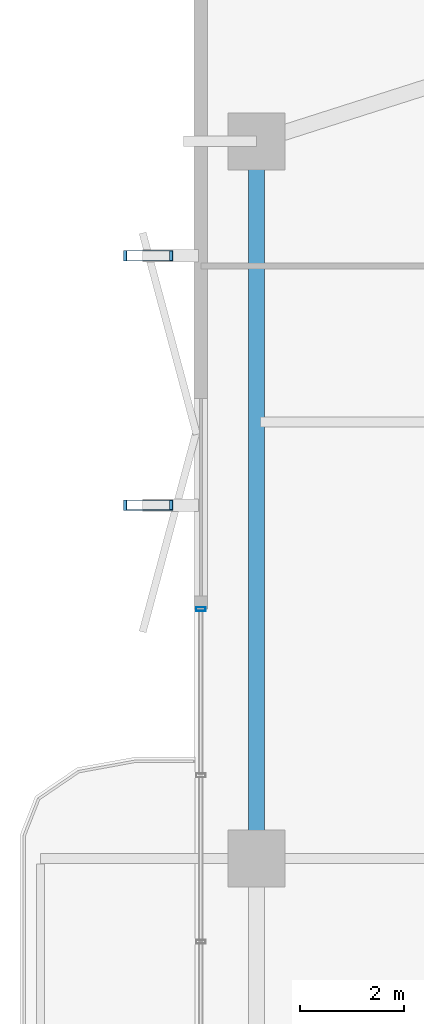
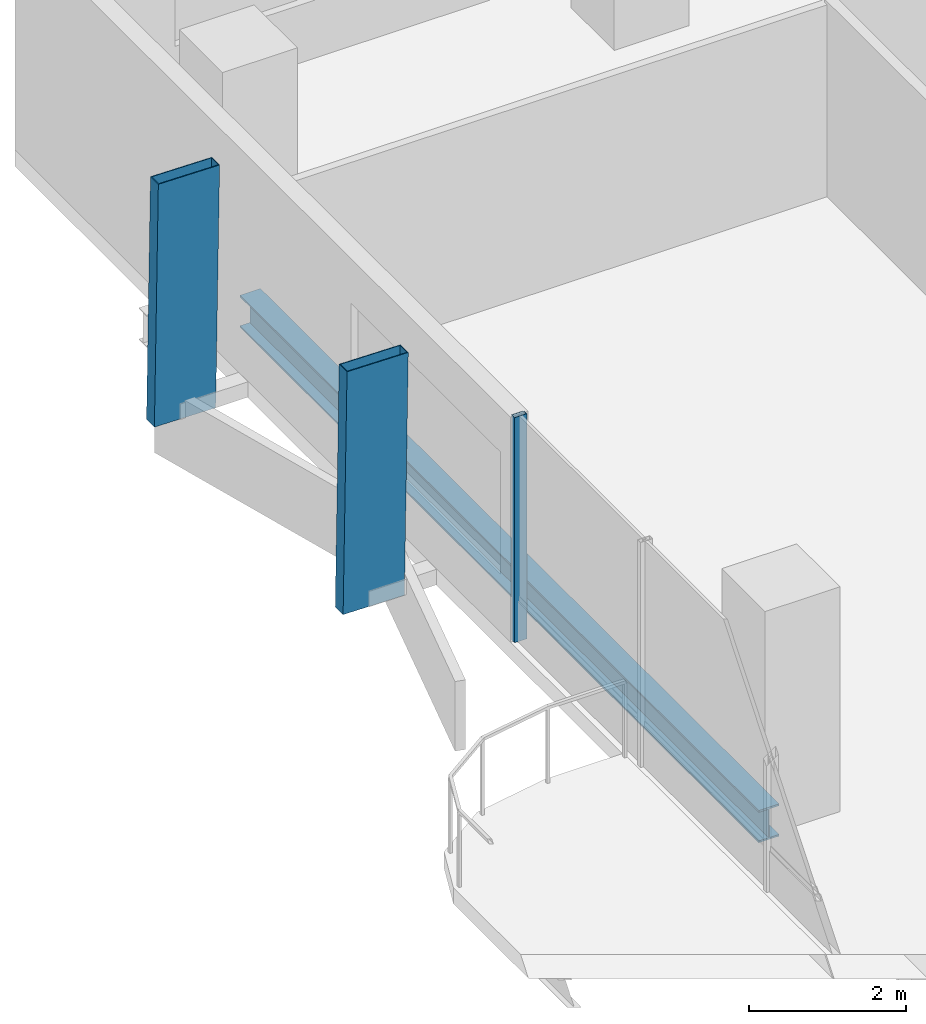
# One storey, part 11 of 25: 3 members, 1 beam, 1 element without a shape of its own.
"""IFC4 building model written with IfcOpenShell, lengths in metres."""

from ifc_helpers import new_model, si_unit, direction, frame, origin, origin_2d, place, context, subcontext, project, spatial, hollow_rectangle, i_section, extrude, material, layer, layer_set, material_profile, profile_set, type_object, element, aggregate, save


model = new_model("IFC4")

# Units and contexts
model_context = context("Model", 3, precision=1e-05, world=origin(), true_north=direction((0.0, 1.0)))
body_context = subcontext(model_context, "Body", "Model", "MODEL_VIEW")
ifc_project = project(units=[si_unit("LENGTHUNIT", "METRE"), si_unit("AREAUNIT", "SQUARE_METRE"), si_unit("VOLUMEUNIT", "CUBIC_METRE"), si_unit("PLANEANGLEUNIT", "RADIAN"), si_unit("MASSUNIT", "GRAM", prefix="KILO")], contexts=[model_context])

# Site, building, storey
site_placement = place(None, origin())
site = spatial("IfcSite", under=ifc_project, at=site_placement, CompositionType="ELEMENT")
building_placement = place(site_placement, origin())
building = spatial("IfcBuilding", under=site, at=building_placement, Name="Belovzor Exchange Tower", CompositionType="ELEMENT")
storey_placement = place(building_placement, frame((0.0, 0.0, 175.800048828125)))
storey = spatial("IfcBuildingStorey", under=building, at=storey_placement, Name="L43", CompositionType="ELEMENT", Elevation=175.800048828125)

# Members
ifc_material_1 = material(Name="Extruded Architectural Terracotta on Steel S355 Carrier", Category="masonry")
ifc_material_profile_1 = material_profile(ifc_material_1, hollow_rectangle(XDim=0.199951171875, YDim=0.89990234375, WallThickness=0.011962890625, at=origin_2d()))
ifc_profile_set_1 = profile_set([ifc_material_profile_1], Name="Extruded Architectural Terracotta on Steel S355 Carrier")
member_type_1 = type_object("IfcMemberType", Name="Sweeping Terracotta Baguette Fin Assembly 1250", PredefinedType="USERDEFINED", material=ifc_profile_set_1)
for number, where, z_axis, x_axis, name in (
    (1, (3.589111328125, 35.60009765625, -0.255126953125), (0.015427851114, 0.0, 0.999880983623), (0.0, 1.0, 0.0), "FIN-TC125 Terracotta Facade Fin L43 W3"),
    (2, (3.589111328125, 40.39990234375, -0.255126953125), (0.015427851114, 0.0, 0.999880983623), (0.0, 1.0, 0.0), "FIN-TC125 Terracotta Facade Fin L43 W4"),
):
    element("IfcMember", number, at=place(storey_placement, frame(where, z_axis=z_axis, x_axis=x_axis)), inside=storey, type_object=member_type_1, Name=name, ObjectType="FIN", PredefinedType="USERDEFINED", context=body_context, shape_type="SweptSolid", body=[
        extrude(hollow_rectangle(XDim=0.199951171875, YDim=0.89990234375, WallThickness=0.011962890625, at=origin_2d()), origin(), (0.0, 0.0, 1.0), 3.75048828125),
    ])

# Curtain wall, member
ifc_material_2 = material(Name="Anodised Aluminium Framing", Category="aluminium")
ifc_layer = layer(ifc_material_2, 0.179931640625)
ifc_layer_set = layer_set([ifc_layer], Name="Anodised Aluminium Framing")
curtain_wall_type = type_object("IfcCurtainWallType", Name="Recessed Loggia Low-Iron Triple-Glazed Curtain Wall", PredefinedType="NOTDEFINED", material=ifc_layer_set)
curtain_wall_placement = place(storey_placement, origin())
curtain_wall = element("IfcCurtainWall", 3, at=curtain_wall_placement, inside=storey, type_object=curtain_wall_type, Name="CW3 Recessed Loggia Low-Iron Triple-Glazed Curtain Wall L43", PredefinedType="NOTDEFINED")
ifc_material_3 = material(Name="Steel S355", Category="steel")
ifc_material_profile_2 = material_profile(ifc_material_3, hollow_rectangle(XDim=0.074951171875, YDim=0.179931640625, WallThickness=0.0048828125, at=origin_2d()))
ifc_profile_set_2 = profile_set([ifc_material_profile_2], Name="Steel S355")
member_type_2 = type_object("IfcMemberType", Name="Thermally Broken Curtain Wall Mullion 180x75", PredefinedType="MULLION", material=ifc_profile_set_2)
member_placement = place(storey_placement, frame((4.6298828125, 33.60009765625, 0.0), z_axis=(0.0, 0.0, 1.0), x_axis=(0.0, 1.0, 0.0)))
member = element("IfcMember", 4, at=member_placement, type_object=member_type_2, Name="CW-M180 Curtain Wall Mullion 4", PredefinedType="MULLION", context=body_context, shape_type="SweptSolid", body=[
    extrude(hollow_rectangle(XDim=0.074951171875, YDim=0.179931640625, WallThickness=0.0048828125, at=origin_2d()), origin(), (0.0, 0.0, 1.0), 3.494873046875),
])
aggregate(curtain_wall, [member])

# Beam
ifc_material_4 = material(Name="Steel S355", Category="steel")
ifc_material_profile_3 = material_profile(ifc_material_4, i_section(OverallWidth=0.300048828125, OverallDepth=0.5, WebThickness=0.014404296875, FlangeThickness=0.028076171875, at=origin_2d()))
ifc_profile_set_3 = profile_set([ifc_material_profile_3], Name="Steel S355")
beam_type = type_object("IfcBeamType", Name="Zone 3 Waist Primary Girder HEB 500", PredefinedType="BEAM", material=ifc_profile_set_3)
beam_placement = place(storey_placement, frame((5.699951171875, 42.297119140625, -0.505126953125), z_axis=(0.0, -1.0, 0.0), x_axis=(1.0, 0.0, 0.0)))
element("IfcBeam", 5, at=beam_placement, inside=storey, type_object=beam_type, Name="FG-Z3 Zone 3 Waist Primary Girder HEB 500", PredefinedType="BEAM", context=body_context, shape_type="SweptSolid", body=[
    extrude(i_section(OverallWidth=0.300048828125, OverallDepth=0.5, WebThickness=0.014404296875, FlangeThickness=0.028076171875, at=origin_2d()), origin(), (0.0, 0.0, 1.0), 13.195068359375),
])

save(model, "model.ifc")
